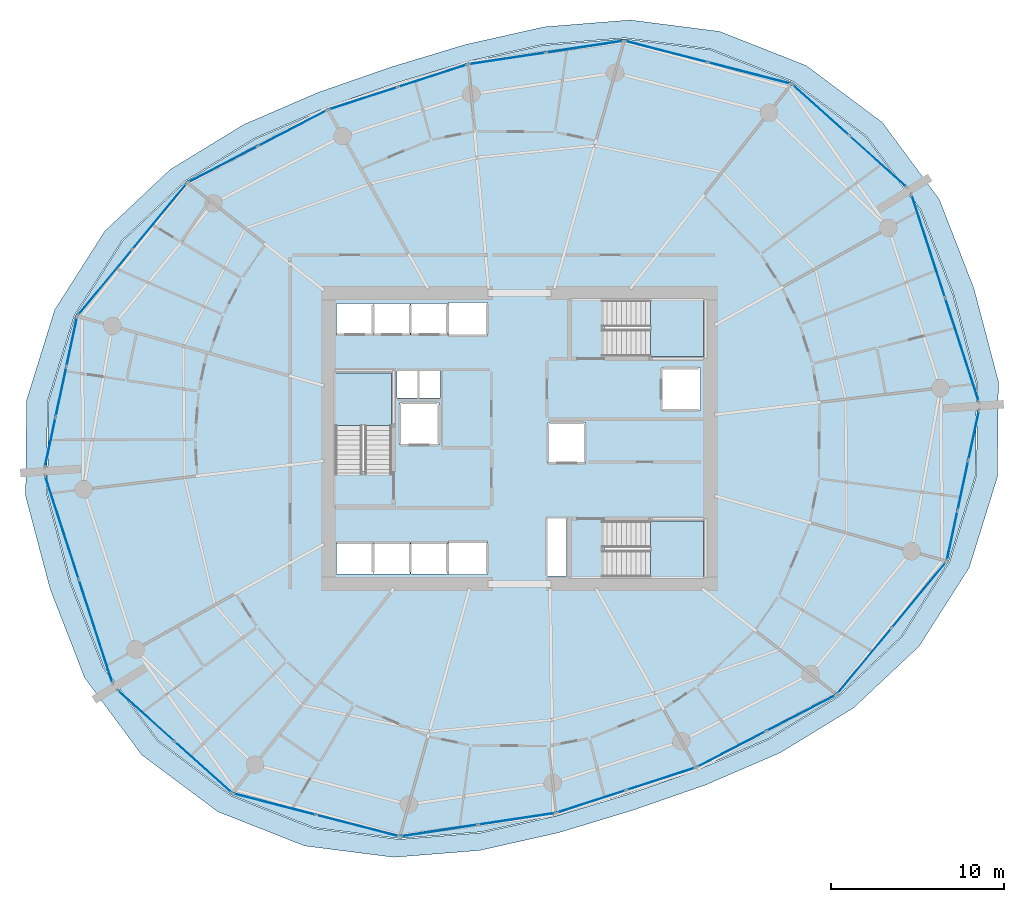
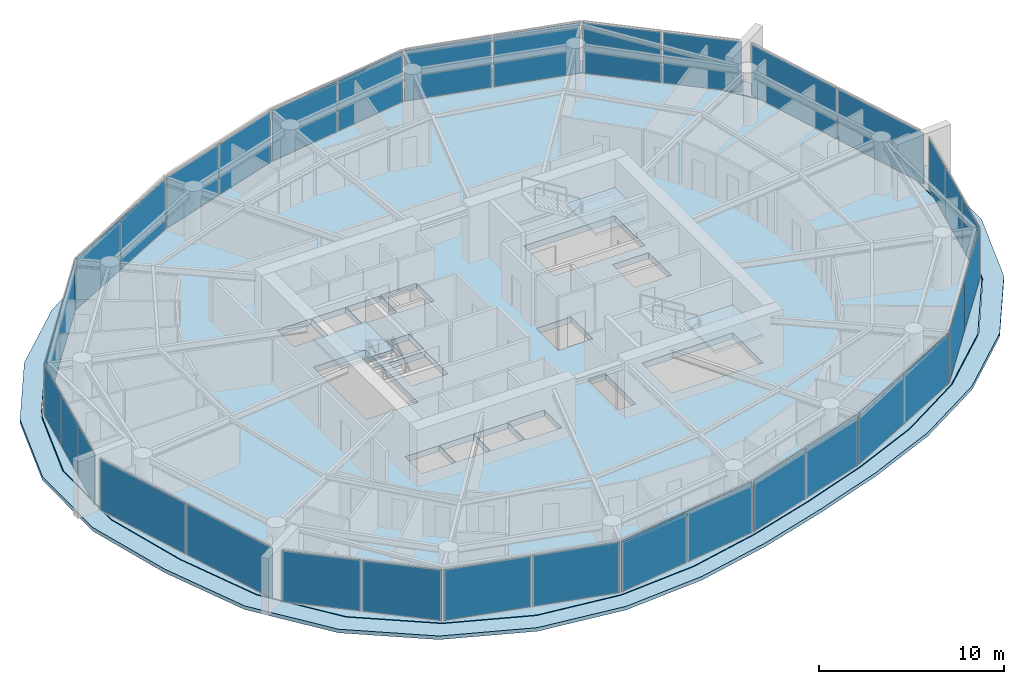
# One storey, part 11 of 17: 34 plates, 5 slabs, 19 elements without a shape of their own.
"""IFC4 building model written with IfcOpenShell, lengths in metres."""

from ifc_helpers import new_model, si_unit, direction, frame, origin, origin_2d, place, context, subcontext, project, spatial, polyline, rectangle, outline, extrude, material, layer, layer_set, type_object, element, aggregate, save


model = new_model("IFC4")

# Units and contexts
model_context = context("Model", 3, precision=1e-05, world=origin(), true_north=direction((0.0, 1.0)))
body_context = subcontext(model_context, "Body", "Model", "MODEL_VIEW")
ifc_project = project(units=[si_unit("LENGTHUNIT", "METRE"), si_unit("AREAUNIT", "SQUARE_METRE"), si_unit("VOLUMEUNIT", "CUBIC_METRE"), si_unit("PLANEANGLEUNIT", "RADIAN"), si_unit("MASSUNIT", "GRAM", prefix="KILO")], contexts=[model_context])

# Site, building, storey
site_placement = place(None, origin())
site = spatial("IfcSite", under=ifc_project, at=site_placement, CompositionType="ELEMENT")
building_placement = place(site_placement, origin())
building = spatial("IfcBuilding", under=site, at=building_placement, Name="Kazma Halo Residences", CompositionType="ELEMENT")
storey_placement = place(building_placement, frame((0.0, 0.0, 127.800048828125)))
storey = spatial("IfcBuildingStorey", under=building, at=storey_placement, Name="L31", CompositionType="ELEMENT", Elevation=127.800048828125)

# Curtain wall, plates
ifc_material_1 = material(Name="Aluminium AW-6063 T6 and Triple-Silver Low-E Glass", Category="aluminium")
ifc_layer_1 = layer(ifc_material_1, 0.219970703125)
ifc_layer_set_1 = layer_set([ifc_layer_1], Name="Aluminium AW-6063 T6 and Triple-Silver Low-E Glass")
curtain_wall_type = type_object("IfcCurtainWallType", Name="CW-SYS-4", PredefinedType="NOTDEFINED", material=ifc_layer_set_1)
curtain_wall_1_placement = place(storey_placement, origin())
curtain_wall_1 = element("IfcCurtainWall", 1, at=curtain_wall_1_placement, inside=storey, type_object=curtain_wall_type, Name="L31 unitised curtain wall B01", PredefinedType="NOTDEFINED")
ifc_material_2 = material(Name="Clear Triple-Silver Low-E Glass IGU", Category="glass")
ifc_layer_2 = layer(ifc_material_2, 0.033935546875)
ifc_layer_set_2 = layer_set([ifc_layer_2], Name="Clear Triple-Silver Low-E Glass IGU")
plate_type = type_object("IfcPlateType", Name="CW-SYS-4-PNL", PredefinedType="CURTAIN_PANEL", material=ifc_layer_set_2)
plate_1_placement = place(storey_placement, frame((69.126708984375, 58.008056640625, 0.074951171875), z_axis=(0.0, 0.0, 1.0), x_axis=(-0.744367582957, 0.667770096247, 0.0)))
plate_1 = element("IfcPlate", 2, at=plate_1_placement, type_object=plate_type, Name="CWS-4 panel 1.1", PredefinedType="CURTAIN_PANEL", context=body_context, shape_type="SweptSolid", body=[
    extrude(rectangle(XDim=4.36279296875, YDim=0.033935546875, at=origin_2d()), origin(), (0.0, 0.0, 1.0), 3.35009765625),
])
plate_2_placement = place(storey_placement, frame((65.823486328125, 60.971435546875, 0.074951171875), z_axis=(0.0, 0.0, 1.0), x_axis=(-0.744367582957, 0.667770096247, 0.0)))
plate_2 = element("IfcPlate", 3, at=plate_2_placement, type_object=plate_type, Name="CWS-4 panel 2.1", PredefinedType="CURTAIN_PANEL", context=body_context, shape_type="SweptSolid", body=[
    extrude(rectangle(XDim=4.36279296875, YDim=0.033935546875, at=origin_2d()), origin(), (0.0, 0.0, 1.0), 3.35009765625),
])
aggregate(curtain_wall_1, [plate_1, plate_2])

curtain_wall_2_placement = place(storey_placement, origin())
curtain_wall_2 = element("IfcCurtainWall", 4, at=curtain_wall_2_placement, inside=storey, type_object=curtain_wall_type, Name="L31 unitised curtain wall B02", PredefinedType="NOTDEFINED")
plate_3_placement = place(storey_placement, frame((61.709228515625, 63.10546875, 0.074951171875), z_axis=(0.0, 0.0, 1.0), x_axis=(-0.968380299116, 0.249478648955, 0.0)))
plate_3 = element("IfcPlate", 5, at=plate_3_placement, type_object=plate_type, Name="CWS-4 panel 1.1", PredefinedType="CURTAIN_PANEL", context=body_context, shape_type="SweptSolid", body=[
    extrude(rectangle(XDim=4.87841796875, YDim=0.033935546875, at=origin_2d()), origin(), (0.0, 0.0, 1.0), 3.35009765625),
])
plate_4_placement = place(storey_placement, frame((56.912353515625, 64.34130859375, 0.074951171875), z_axis=(0.0, 0.0, 1.0), x_axis=(-0.968380299116, 0.249478648955, 0.0)))
plate_4 = element("IfcPlate", 6, at=plate_4_placement, type_object=plate_type, Name="CWS-4 panel 2.1", PredefinedType="CURTAIN_PANEL", context=body_context, shape_type="SweptSolid", body=[
    extrude(rectangle(XDim=4.87841796875, YDim=0.033935546875, at=origin_2d()), origin(), (0.0, 0.0, 1.0), 3.35009765625),
])
aggregate(curtain_wall_2, [plate_3, plate_4])

curtain_wall_3_placement = place(storey_placement, origin())
curtain_wall_3 = element("IfcCurtainWall", 7, at=curtain_wall_3_placement, inside=storey, type_object=curtain_wall_type, Name="L31 unitised curtain wall B03", PredefinedType="NOTDEFINED")
plate_5_placement = place(storey_placement, frame((52.200439453125, 64.625732421875, 0.074951171875), z_axis=(0.0, 0.0, 1.0), x_axis=(-0.988864148004, -0.148821022686, 0.0)))
plate_5 = element("IfcPlate", 8, at=plate_5_placement, type_object=plate_type, Name="CWS-4 panel 1.1", PredefinedType="CURTAIN_PANEL", context=body_context, shape_type="SweptSolid", body=[
    extrude(rectangle(XDim=4.4560546875, YDim=0.033935546875, at=origin_2d()), origin(), (0.0, 0.0, 1.0), 3.35009765625),
])
plate_6_placement = place(storey_placement, frame((47.7197265625, 63.951416015625, 0.074951171875), z_axis=(0.0, 0.0, 1.0), x_axis=(-0.988864148004, -0.148821022686, 0.0)))
plate_6 = element("IfcPlate", 9, at=plate_6_placement, type_object=plate_type, Name="CWS-4 panel 2.1", PredefinedType="CURTAIN_PANEL", context=body_context, shape_type="SweptSolid", body=[
    extrude(rectangle(XDim=4.4560546875, YDim=0.033935546875, at=origin_2d()), origin(), (0.0, 0.0, 1.0), 3.35009765625),
])
aggregate(curtain_wall_3, [plate_5, plate_6])

curtain_wall_4_placement = place(storey_placement, origin())
curtain_wall_4 = element("IfcCurtainWall", 10, at=curtain_wall_4_placement, inside=storey, type_object=curtain_wall_type, Name="L31 unitised curtain wall B04", PredefinedType="NOTDEFINED")
plate_7_placement = place(storey_placement, frame((43.406005859375, 62.947021484375, 0.074951171875), z_axis=(0.0, 0.0, 1.0), x_axis=(-0.951056397884, -0.309017358807, 0.0)))
plate_7 = element("IfcPlate", 11, at=plate_7_placement, type_object=plate_type, Name="CWS-4 panel 1.1", PredefinedType="CURTAIN_PANEL", context=body_context, shape_type="SweptSolid", body=[
    extrude(rectangle(XDim=4.132568359375, YDim=0.033935546875, at=origin_2d()), origin(), (0.0, 0.0, 1.0), 3.35009765625),
])
plate_8_placement = place(storey_placement, frame((39.404296875, 61.646728515625, 0.074951171875), z_axis=(0.0, 0.0, 1.0), x_axis=(-0.951056397884, -0.309017358807, 0.0)))
plate_8 = element("IfcPlate", 12, at=plate_8_placement, type_object=plate_type, Name="CWS-4 panel 2.1", PredefinedType="CURTAIN_PANEL", context=body_context, shape_type="SweptSolid", body=[
    extrude(rectangle(XDim=4.132568359375, YDim=0.033935546875, at=origin_2d()), origin(), (0.0, 0.0, 1.0), 3.35009765625),
])
aggregate(curtain_wall_4, [plate_7, plate_8])

curtain_wall_5_placement = place(storey_placement, origin())
curtain_wall_5 = element("IfcCurtainWall", 13, at=curtain_wall_5_placement, inside=storey, type_object=curtain_wall_type, Name="L31 unitised curtain wall B05", PredefinedType="NOTDEFINED")
plate_9_placement = place(storey_placement, frame((35.323974609375, 59.923828125, 0.074951171875), z_axis=(0.0, 0.0, 1.0), x_axis=(-0.887484542306, -0.460837484552, 0.0)))
plate_9 = element("IfcPlate", 14, at=plate_9_placement, type_object=plate_type, Name="CWS-4 panel 1.1", PredefinedType="CURTAIN_PANEL", context=body_context, shape_type="SweptSolid", body=[
    extrude(rectangle(XDim=4.4560546875, YDim=0.033935546875, at=origin_2d()), origin(), (0.0, 0.0, 1.0), 3.35009765625),
])
plate_10_placement = place(storey_placement, frame((31.302734375, 57.835693359375, 0.074951171875), z_axis=(0.0, 0.0, 1.0), x_axis=(-0.887484542306, -0.460837484552, 0.0)))
plate_10 = element("IfcPlate", 15, at=plate_10_placement, type_object=plate_type, Name="CWS-4 panel 2.1", PredefinedType="CURTAIN_PANEL", context=body_context, shape_type="SweptSolid", body=[
    extrude(rectangle(XDim=4.4560546875, YDim=0.033935546875, at=origin_2d()), origin(), (0.0, 0.0, 1.0), 3.35009765625),
])
aggregate(curtain_wall_5, [plate_9, plate_10])

curtain_wall_6_placement = place(storey_placement, origin())
curtain_wall_6 = element("IfcCurtainWall", 16, at=curtain_wall_6_placement, inside=storey, type_object=curtain_wall_type, Name="L31 unitised curtain wall B06", PredefinedType="NOTDEFINED")
plate_11_placement = place(storey_placement, frame((27.65771484375, 54.8359375, 0.074951171875), z_axis=(0.0, 0.0, 1.0), x_axis=(-0.636790308761, -0.771037030672, 0.0)))
plate_11 = element("IfcPlate", 17, at=plate_11_placement, type_object=plate_type, Name="CWS-4 panel 1.1", PredefinedType="CURTAIN_PANEL", context=body_context, shape_type="SweptSolid", body=[
    extrude(rectangle(XDim=4.87841796875, YDim=0.033935546875, at=origin_2d()), origin(), (0.0, 0.0, 1.0), 3.35009765625),
])
plate_12_placement = place(storey_placement, frame((24.503662109375, 51.0166015625, 0.074951171875), z_axis=(0.0, 0.0, 1.0), x_axis=(-0.636790308761, -0.771037030672, 0.0)))
plate_12 = element("IfcPlate", 18, at=plate_12_placement, type_object=plate_type, Name="CWS-4 panel 2.1", PredefinedType="CURTAIN_PANEL", context=body_context, shape_type="SweptSolid", body=[
    extrude(rectangle(XDim=4.87841796875, YDim=0.033935546875, at=origin_2d()), origin(), (0.0, 0.0, 1.0), 3.35009765625),
])
aggregate(curtain_wall_6, [plate_11, plate_12])

curtain_wall_7_placement = place(storey_placement, origin())
curtain_wall_7 = element("IfcCurtainWall", 19, at=curtain_wall_7_placement, inside=storey, type_object=curtain_wall_type, Name="L31 unitised curtain wall B07", PredefinedType="NOTDEFINED")
plate_13_placement = place(storey_placement, frame((22.5859375, 47.601318359375, 0.074951171875), z_axis=(0.0, 0.0, 1.0), x_axis=(-0.209703809037, -0.977764957684, 0.0)))
plate_13 = element("IfcPlate", 20, at=plate_13_placement, type_object=plate_type, Name="CWS-4 panel 1.1", PredefinedType="CURTAIN_PANEL", context=body_context, shape_type="SweptSolid", body=[
    extrude(rectangle(XDim=2.87109375, YDim=0.033935546875, at=origin_2d()), origin(), (0.0, 0.0, 1.0), 3.35009765625),
])
plate_14_placement = place(storey_placement, frame((21.964111328125, 44.702392578125, 0.074951171875), z_axis=(0.0, 0.0, 1.0), x_axis=(-0.209703809037, -0.977764957684, 0.0)))
plate_14 = element("IfcPlate", 21, at=plate_14_placement, type_object=plate_type, Name="CWS-4 panel 2.1", PredefinedType="CURTAIN_PANEL", context=body_context, shape_type="SweptSolid", body=[
    extrude(rectangle(XDim=2.90869140625, YDim=0.033935546875, at=origin_2d()), origin(), (0.0, 0.0, 1.0), 3.35009765625),
])
plate_15_placement = place(storey_placement, frame((21.34228515625, 41.803466796875, 0.074951171875), z_axis=(0.0, 0.0, 1.0), x_axis=(-0.209703809037, -0.977764957684, 0.0)))
plate_15 = element("IfcPlate", 22, at=plate_15_placement, type_object=plate_type, Name="CWS-4 panel 3.1", PredefinedType="CURTAIN_PANEL", context=body_context, shape_type="SweptSolid", body=[
    extrude(rectangle(XDim=2.87109375, YDim=0.033935546875, at=origin_2d()), origin(), (0.0, 0.0, 1.0), 3.35009765625),
])
aggregate(curtain_wall_7, [plate_13, plate_14, plate_15])

curtain_wall_8_placement = place(storey_placement, origin())
curtain_wall_8 = element("IfcCurtainWall", 23, at=curtain_wall_8_placement, inside=storey, type_object=curtain_wall_type, Name="L31 unitised curtain wall B08", PredefinedType="NOTDEFINED")
plate_16_placement = place(storey_placement, frame((22.017578125, 36.869873046875, 0.074951171875), z_axis=(0.0, 0.0, 1.0), x_axis=(0.3090138203, -0.951057547609, 0.0)))
plate_16 = element("IfcPlate", 24, at=plate_16_placement, type_object=plate_type, Name="CWS-4 panel 1.1", PredefinedType="CURTAIN_PANEL", context=body_context, shape_type="SweptSolid", body=[
    extrude(rectangle(XDim=6.224853515625, YDim=0.033935546875, at=origin_2d()), origin(), (0.0, 0.0, 1.0), 3.35009765625),
])
plate_17_placement = place(storey_placement, frame((23.96435546875, 30.878173828125, 0.074951171875), z_axis=(0.0, 0.0, 1.0), x_axis=(0.3090138203, -0.951057547609, 0.0)))
plate_17 = element("IfcPlate", 25, at=plate_17_placement, type_object=plate_type, Name="CWS-4 panel 2.1", PredefinedType="CURTAIN_PANEL", context=body_context, shape_type="SweptSolid", body=[
    extrude(rectangle(XDim=6.224853515625, YDim=0.033935546875, at=origin_2d()), origin(), (0.0, 0.0, 1.0), 3.35009765625),
])
aggregate(curtain_wall_8, [plate_16, plate_17])

curtain_wall_9_placement = place(storey_placement, origin())
curtain_wall_9 = element("IfcCurtainWall", 26, at=curtain_wall_9_placement, inside=storey, type_object=curtain_wall_type, Name="L31 unitised curtain wall B09", PredefinedType="NOTDEFINED")
plate_18_placement = place(storey_placement, frame((26.873291015625, 25.991943359375, 0.074951171875), z_axis=(0.0, 0.0, 1.0), x_axis=(0.744367582957, -0.667770096247, 0.0)))
plate_18 = element("IfcPlate", 27, at=plate_18_placement, type_object=plate_type, Name="CWS-4 panel 1.1", PredefinedType="CURTAIN_PANEL", context=body_context, shape_type="SweptSolid", body=[
    extrude(rectangle(XDim=4.36279296875, YDim=0.033935546875, at=origin_2d()), origin(), (0.0, 0.0, 1.0), 3.35009765625),
])
plate_19_placement = place(storey_placement, frame((30.176513671875, 23.028564453125, 0.074951171875), z_axis=(0.0, 0.0, 1.0), x_axis=(0.744367582957, -0.667770096247, 0.0)))
plate_19 = element("IfcPlate", 28, at=plate_19_placement, type_object=plate_type, Name="CWS-4 panel 2.1", PredefinedType="CURTAIN_PANEL", context=body_context, shape_type="SweptSolid", body=[
    extrude(rectangle(XDim=4.36279296875, YDim=0.033935546875, at=origin_2d()), origin(), (0.0, 0.0, 1.0), 3.35009765625),
])
aggregate(curtain_wall_9, [plate_18, plate_19])

curtain_wall_10_placement = place(storey_placement, origin())
curtain_wall_10 = element("IfcCurtainWall", 29, at=curtain_wall_10_placement, inside=storey, type_object=curtain_wall_type, Name="L31 unitised curtain wall B10", PredefinedType="NOTDEFINED")
plate_20_placement = place(storey_placement, frame((34.290771484375, 20.89453125, 0.074951171875), z_axis=(0.0, 0.0, 1.0), x_axis=(0.968380299116, -0.249478648955, 0.0)))
plate_20 = element("IfcPlate", 30, at=plate_20_placement, type_object=plate_type, Name="CWS-4 panel 1.1", PredefinedType="CURTAIN_PANEL", context=body_context, shape_type="SweptSolid", body=[
    extrude(rectangle(XDim=4.87841796875, YDim=0.033935546875, at=origin_2d()), origin(), (0.0, 0.0, 1.0), 3.35009765625),
])
plate_21_placement = place(storey_placement, frame((39.087646484375, 19.65869140625, 0.074951171875), z_axis=(0.0, 0.0, 1.0), x_axis=(0.968380299116, -0.249478648955, 0.0)))
plate_21 = element("IfcPlate", 31, at=plate_21_placement, type_object=plate_type, Name="CWS-4 panel 2.1", PredefinedType="CURTAIN_PANEL", context=body_context, shape_type="SweptSolid", body=[
    extrude(rectangle(XDim=4.87841796875, YDim=0.033935546875, at=origin_2d()), origin(), (0.0, 0.0, 1.0), 3.35009765625),
])
aggregate(curtain_wall_10, [plate_20, plate_21])

curtain_wall_11_placement = place(storey_placement, origin())
curtain_wall_11 = element("IfcCurtainWall", 32, at=curtain_wall_11_placement, inside=storey, type_object=curtain_wall_type, Name="L31 unitised curtain wall B11", PredefinedType="NOTDEFINED")
plate_22_placement = place(storey_placement, frame((43.799560546875, 19.374267578125, 0.074951171875), z_axis=(0.0, 0.0, 1.0), x_axis=(0.988864148004, 0.148821022686, 0.0)))
plate_22 = element("IfcPlate", 33, at=plate_22_placement, type_object=plate_type, Name="CWS-4 panel 1.1", PredefinedType="CURTAIN_PANEL", context=body_context, shape_type="SweptSolid", body=[
    extrude(rectangle(XDim=4.4560546875, YDim=0.033935546875, at=origin_2d()), origin(), (0.0, 0.0, 1.0), 3.35009765625),
])
plate_23_placement = place(storey_placement, frame((48.2802734375, 20.048583984375, 0.074951171875), z_axis=(0.0, 0.0, 1.0), x_axis=(0.988864148004, 0.148821022686, 0.0)))
plate_23 = element("IfcPlate", 34, at=plate_23_placement, type_object=plate_type, Name="CWS-4 panel 2.1", PredefinedType="CURTAIN_PANEL", context=body_context, shape_type="SweptSolid", body=[
    extrude(rectangle(XDim=4.4560546875, YDim=0.033935546875, at=origin_2d()), origin(), (0.0, 0.0, 1.0), 3.35009765625),
])
aggregate(curtain_wall_11, [plate_22, plate_23])

curtain_wall_12_placement = place(storey_placement, origin())
curtain_wall_12 = element("IfcCurtainWall", 35, at=curtain_wall_12_placement, inside=storey, type_object=curtain_wall_type, Name="L31 unitised curtain wall B12", PredefinedType="NOTDEFINED")
plate_24_placement = place(storey_placement, frame((52.593994140625, 21.052978515625, 0.074951171875), z_axis=(0.0, 0.0, 1.0), x_axis=(0.951056397884, 0.309017358807, 0.0)))
plate_24 = element("IfcPlate", 36, at=plate_24_placement, type_object=plate_type, Name="CWS-4 panel 1.1", PredefinedType="CURTAIN_PANEL", context=body_context, shape_type="SweptSolid", body=[
    extrude(rectangle(XDim=4.132568359375, YDim=0.033935546875, at=origin_2d()), origin(), (0.0, 0.0, 1.0), 3.35009765625),
])
plate_25_placement = place(storey_placement, frame((56.595703125, 22.353271484375, 0.074951171875), z_axis=(0.0, 0.0, 1.0), x_axis=(0.951056397884, 0.309017358807, 0.0)))
plate_25 = element("IfcPlate", 37, at=plate_25_placement, type_object=plate_type, Name="CWS-4 panel 2.1", PredefinedType="CURTAIN_PANEL", context=body_context, shape_type="SweptSolid", body=[
    extrude(rectangle(XDim=4.132568359375, YDim=0.033935546875, at=origin_2d()), origin(), (0.0, 0.0, 1.0), 3.35009765625),
])
aggregate(curtain_wall_12, [plate_24, plate_25])

curtain_wall_13_placement = place(storey_placement, origin())
curtain_wall_13 = element("IfcCurtainWall", 38, at=curtain_wall_13_placement, inside=storey, type_object=curtain_wall_type, Name="L31 unitised curtain wall B13", PredefinedType="NOTDEFINED")
plate_26_placement = place(storey_placement, frame((60.676025390625, 24.076171875, 0.074951171875), z_axis=(0.0, 0.0, 1.0), x_axis=(0.887484542306, 0.460837484552, 0.0)))
plate_26 = element("IfcPlate", 39, at=plate_26_placement, type_object=plate_type, Name="CWS-4 panel 1.1", PredefinedType="CURTAIN_PANEL", context=body_context, shape_type="SweptSolid", body=[
    extrude(rectangle(XDim=4.4560546875, YDim=0.033935546875, at=origin_2d()), origin(), (0.0, 0.0, 1.0), 3.35009765625),
])
plate_27_placement = place(storey_placement, frame((64.697265625, 26.164306640625, 0.074951171875), z_axis=(0.0, 0.0, 1.0), x_axis=(0.887484542306, 0.460837484552, 0.0)))
plate_27 = element("IfcPlate", 40, at=plate_27_placement, type_object=plate_type, Name="CWS-4 panel 2.1", PredefinedType="CURTAIN_PANEL", context=body_context, shape_type="SweptSolid", body=[
    extrude(rectangle(XDim=4.4560546875, YDim=0.033935546875, at=origin_2d()), origin(), (0.0, 0.0, 1.0), 3.35009765625),
])
aggregate(curtain_wall_13, [plate_26, plate_27])

curtain_wall_14_placement = place(storey_placement, origin())
curtain_wall_14 = element("IfcCurtainWall", 41, at=curtain_wall_14_placement, inside=storey, type_object=curtain_wall_type, Name="L31 unitised curtain wall B14", PredefinedType="NOTDEFINED")
plate_28_placement = place(storey_placement, frame((68.34228515625, 29.1640625, 0.074951171875), z_axis=(0.0, 0.0, 1.0), x_axis=(0.636790308761, 0.771037030672, 0.0)))
plate_28 = element("IfcPlate", 42, at=plate_28_placement, type_object=plate_type, Name="CWS-4 panel 1.1", PredefinedType="CURTAIN_PANEL", context=body_context, shape_type="SweptSolid", body=[
    extrude(rectangle(XDim=4.87841796875, YDim=0.033935546875, at=origin_2d()), origin(), (0.0, 0.0, 1.0), 3.35009765625),
])
plate_29_placement = place(storey_placement, frame((71.496337890625, 32.9833984375, 0.074951171875), z_axis=(0.0, 0.0, 1.0), x_axis=(0.636790308761, 0.771037030672, 0.0)))
plate_29 = element("IfcPlate", 43, at=plate_29_placement, type_object=plate_type, Name="CWS-4 panel 2.1", PredefinedType="CURTAIN_PANEL", context=body_context, shape_type="SweptSolid", body=[
    extrude(rectangle(XDim=4.87841796875, YDim=0.033935546875, at=origin_2d()), origin(), (0.0, 0.0, 1.0), 3.35009765625),
])
aggregate(curtain_wall_14, [plate_28, plate_29])

curtain_wall_15_placement = place(storey_placement, origin())
curtain_wall_15 = element("IfcCurtainWall", 44, at=curtain_wall_15_placement, inside=storey, type_object=curtain_wall_type, Name="L31 unitised curtain wall B15", PredefinedType="NOTDEFINED")
plate_30_placement = place(storey_placement, frame((73.4140625, 36.398681640625, 0.074951171875), z_axis=(0.0, 0.0, 1.0), x_axis=(0.209703809037, 0.977764957684, 0.0)))
plate_30 = element("IfcPlate", 45, at=plate_30_placement, type_object=plate_type, Name="CWS-4 panel 1.1", PredefinedType="CURTAIN_PANEL", context=body_context, shape_type="SweptSolid", body=[
    extrude(rectangle(XDim=2.87109375, YDim=0.033935546875, at=origin_2d()), origin(), (0.0, 0.0, 1.0), 3.35009765625),
])
plate_31_placement = place(storey_placement, frame((74.035888671875, 39.297607421875, 0.074951171875), z_axis=(0.0, 0.0, 1.0), x_axis=(0.209703809037, 0.977764957684, 0.0)))
plate_31 = element("IfcPlate", 46, at=plate_31_placement, type_object=plate_type, Name="CWS-4 panel 2.1", PredefinedType="CURTAIN_PANEL", context=body_context, shape_type="SweptSolid", body=[
    extrude(rectangle(XDim=2.90869140625, YDim=0.033935546875, at=origin_2d()), origin(), (0.0, 0.0, 1.0), 3.35009765625),
])
plate_32_placement = place(storey_placement, frame((74.65771484375, 42.196533203125, 0.074951171875), z_axis=(0.0, 0.0, 1.0), x_axis=(0.209703809037, 0.977764957684, 0.0)))
plate_32 = element("IfcPlate", 47, at=plate_32_placement, type_object=plate_type, Name="CWS-4 panel 3.1", PredefinedType="CURTAIN_PANEL", context=body_context, shape_type="SweptSolid", body=[
    extrude(rectangle(XDim=2.87109375, YDim=0.033935546875, at=origin_2d()), origin(), (0.0, 0.0, 1.0), 3.35009765625),
])
aggregate(curtain_wall_15, [plate_30, plate_31, plate_32])

curtain_wall_16_placement = place(storey_placement, origin())
curtain_wall_16 = element("IfcCurtainWall", 48, at=curtain_wall_16_placement, inside=storey, type_object=curtain_wall_type, Name="L31 unitised curtain wall B16", PredefinedType="NOTDEFINED")
plate_33_placement = place(storey_placement, frame((73.982421875, 47.130126953125, 0.074951171875), z_axis=(0.0, 0.0, 1.0), x_axis=(-0.3090138203, 0.951057547609, 0.0)))
plate_33 = element("IfcPlate", 49, at=plate_33_placement, type_object=plate_type, Name="CWS-4 panel 1.1", PredefinedType="CURTAIN_PANEL", context=body_context, shape_type="SweptSolid", body=[
    extrude(rectangle(XDim=6.224853515625, YDim=0.033935546875, at=origin_2d()), origin(), (0.0, 0.0, 1.0), 3.35009765625),
])
plate_34_placement = place(storey_placement, frame((72.03564453125, 53.121826171875, 0.074951171875), z_axis=(0.0, 0.0, 1.0), x_axis=(-0.3090138203, 0.951057547609, 0.0)))
plate_34 = element("IfcPlate", 50, at=plate_34_placement, type_object=plate_type, Name="CWS-4 panel 2.1", PredefinedType="CURTAIN_PANEL", context=body_context, shape_type="SweptSolid", body=[
    extrude(rectangle(XDim=6.224853515625, YDim=0.033935546875, at=origin_2d()), origin(), (0.0, 0.0, 1.0), 3.35009765625),
])
aggregate(curtain_wall_16, [plate_33, plate_34])

# Slab
ifc_material_3 = material(Name="Concrete C50/60", Category="concrete")
ifc_layer_3 = layer(ifc_material_3, 0.239990234375)
ifc_layer_set_3 = layer_set([ifc_layer_3], Name="Concrete C50/60")
slab_type_1 = type_object("IfcSlabType", Name="SLB-ROOF-240", PredefinedType="ROOF", material=ifc_layer_set_3)
slab_1_placement = place(storey_placement, frame((0.0, 0.0, -0.239990234375)))
element("IfcSlab", 51, at=slab_1_placement, inside=storey, type_object=slab_type_1, Name="L31 extensive green roof maintenance apron", PredefinedType="ROOF", context=body_context, shape_type="SweptSolid", body=[
    extrude(outline(polyline([(74.67138671875, 50.666015625), (72.670654296875, 55.81640625), (69.37890625, 60.25927734375), (64.981201171875, 63.54052734375), (59.97998046875, 65.51220703125), (54.816650390625, 66.17041015625), (49.87109375, 65.77490234375), (45.307373046875, 64.750244140625), (41.028076171875, 63.457275390625), (36.80615234375, 61.988037109375), (32.51171875, 60.134521484375), (28.2783203125, 57.54736328125), (24.48779296875, 53.97998046875), (21.6005859375, 49.4453125), (19.9716796875, 44.205810546875), (19.919921875, 38.676513671875), (21.32861328125, 33.333984375), (23.329345703125, 28.18359375), (26.62109375, 23.74072265625), (31.018798828125, 20.45947265625), (36.02001953125, 18.48779296875), (41.183349609375, 17.82958984375), (46.12890625, 18.22509765625), (50.692626953125, 19.249755859375), (54.971923828125, 20.542724609375), (59.19384765625, 22.011962890625), (63.48828125, 23.865478515625), (67.7216796875, 26.45263671875), (71.51220703125, 30.02001953125), (74.3994140625, 34.5546875), (76.0283203125, 39.794189453125), (76.080078125, 45.323486328125), (74.67138671875, 50.666015625)]), holes=[polyline([(73.520263671875, 50.2919921875), (71.60546875, 55.2197265625), (68.4560546875, 59.470947265625), (64.2490234375, 62.61181640625), (59.46435546875, 64.5), (54.52392578125, 65.132080078125), (49.791015625, 64.756103515625), (45.422607421875, 63.777587890625), (41.325927734375, 62.540283203125), (37.284912109375, 61.13330078125), (33.17529296875, 59.357421875), (29.125244140625, 56.879638671875), (25.5, 53.46435546875), (22.739013671875, 49.124267578125), (21.181640625, 44.110595703125), (21.13232421875, 38.820068359375), (22.479736328125, 33.7080078125), (24.39453125, 28.7802734375), (27.5439453125, 24.529052734375), (31.7509765625, 21.38818359375), (36.53564453125, 19.5), (41.47607421875, 18.867919921875), (46.208984375, 19.243896484375), (50.577392578125, 20.222412109375), (54.674072265625, 21.459716796875), (58.715087890625, 22.86669921875), (62.82470703125, 24.642578125), (66.874755859375, 27.120361328125), (70.5, 30.53564453125), (73.260986328125, 34.875732421875), (74.818359375, 39.889404296875), (74.86767578125, 45.179931640625), (73.520263671875, 50.2919921875)])]), origin(), (0.0, 0.0, 1.0), 0.239990234375),
])

# Stair, slab
stair_type = type_object("IfcStairType", Name="STR-RES1", PredefinedType="HALF_TURN_STAIR", material=ifc_material_3)
stair_1_placement = place(storey_placement, origin())
stair_1 = element("IfcStair", 52, at=stair_1_placement, inside=storey, type_object=stair_type, Name="L31 Core exit stair ST-01", PredefinedType="HALF_TURN_STAIR")
ifc_layer_4 = layer(ifc_material_3, 0.199951171875)
ifc_layer_set_4 = layer_set([ifc_layer_4], Name="Concrete C50/60")
slab_type_2 = type_object("IfcSlabType", Name="SLB-STAIR-LND-200", PredefinedType="LANDING", material=ifc_layer_set_4)
slab_2_placement = place(storey_placement, frame((0.0, 0.0, 1.675048828125)))
slab_2 = element("IfcSlab", 53, at=slab_2_placement, type_object=slab_type_2, Name="ST-01 landing 1", PredefinedType="LANDING", context=body_context, shape_type="SweptSolid", body=[
    extrude(outline(polyline([(41.050048828125, 42.75), (41.050048828125, 45.800048828125), (37.800048828125, 45.800048828125), (37.800048828125, 42.75), (41.050048828125, 42.75)])), origin(), (0.0, 0.0, 1.0), 0.199951171875),
])
aggregate(stair_1, [slab_2])

stair_2_placement = place(storey_placement, origin())
stair_2 = element("IfcStair", 54, at=stair_2_placement, inside=storey, type_object=stair_type, Name="L31 Core exit stair ST-02", PredefinedType="HALF_TURN_STAIR")
slab_3_placement = place(storey_placement, frame((0.0, 0.0, 1.675048828125)))
slab_3 = element("IfcSlab", 55, at=slab_3_placement, type_object=slab_type_2, Name="ST-02 landing 1", PredefinedType="LANDING", context=body_context, shape_type="SweptSolid", body=[
    extrude(outline(polyline([(56.0, 46.75), (59.050048828125, 46.75), (59.050048828125, 50.0), (56.0, 50.0), (56.0, 46.75)])), origin(), (0.0, 0.0, 1.0), 0.199951171875),
])
aggregate(stair_2, [slab_3])

stair_3_placement = place(storey_placement, origin())
stair_3 = element("IfcStair", 56, at=stair_3_placement, inside=storey, type_object=stair_type, Name="L31 Core exit stair ST-03", PredefinedType="HALF_TURN_STAIR")
slab_4_placement = place(storey_placement, frame((0.0, 0.0, 1.675048828125)))
slab_4 = element("IfcSlab", 57, at=slab_4_placement, type_object=slab_type_2, Name="ST-03 landing 1", PredefinedType="LANDING", context=body_context, shape_type="SweptSolid", body=[
    extrude(outline(polyline([(56.0, 34.0), (59.050048828125, 34.0), (59.050048828125, 37.25), (56.0, 37.25), (56.0, 34.0)])), origin(), (0.0, 0.0, 1.0), 0.199951171875),
])
aggregate(stair_3, [slab_4])

# Slab
ifc_material_4 = material(Name="Concrete C60/75", Category="concrete")
ifc_layer_5 = layer(ifc_material_4, 0.39990234375)
ifc_layer_set_5 = layer_set([ifc_layer_5], Name="Concrete C60/75")
slab_type_3 = type_object("IfcSlabType", Name="SLB-TRANS-400", PredefinedType="FLOOR", material=ifc_layer_set_5)
slab_5_placement = place(storey_placement, frame((0.0, 0.0, -0.400146484375)))
element("IfcSlab", 58, at=slab_5_placement, inside=storey, type_object=slab_type_3, Name="L31 structural floor slab", PredefinedType="FLOOR", context=body_context, shape_type="SweptSolid", body=[
    extrude(outline(polyline([(73.47265625, 50.276611328125), (71.56201171875, 55.1953125), (68.41796875, 59.438720703125), (64.218017578125, 62.572509765625), (59.441650390625, 64.45556640625), (54.510498046875, 65.083984375), (49.787109375, 64.706298828125), (45.42822265625, 63.727783203125), (41.341552734375, 62.492919921875), (37.30908203125, 61.08984375), (33.2080078125, 59.3193359375), (29.16455078125, 56.8486328125), (25.54443359375, 53.441650390625), (22.787109375, 49.110595703125), (21.2314453125, 44.106689453125), (21.181884765625, 38.825927734375), (22.52734375, 33.723388671875), (24.43798828125, 28.8046875), (27.58203125, 24.561279296875), (31.781982421875, 21.427490234375), (36.558349609375, 19.54443359375), (41.489501953125, 18.916015625), (46.212890625, 19.293701171875), (50.57177734375, 20.272216796875), (54.658447265625, 21.507080078125), (58.69091796875, 22.91015625), (62.7919921875, 24.6806640625), (66.83544921875, 27.1513671875), (70.45556640625, 30.558349609375), (73.212890625, 34.889404296875), (74.7685546875, 39.893310546875), (74.818115234375, 45.174072265625), (73.47265625, 50.276611328125)]), holes=[polyline([(37.800048828125, 40.110107421875), (41.050048828125, 40.110107421875), (41.050048828125, 45.800048828125), (37.800048828125, 45.800048828125), (37.800048828125, 40.110107421875)]), polyline([(53.360107421875, 46.75), (59.050048828125, 46.75), (59.050048828125, 50.0), (53.360107421875, 50.0), (53.360107421875, 46.75)]), polyline([(53.360107421875, 34.0), (59.050048828125, 34.0), (59.050048828125, 37.25), (53.360107421875, 37.25), (53.360107421875, 34.0)]), polyline([(41.52001953125, 41.6201171875), (43.780029296875, 41.6201171875), (43.780029296875, 44.080078125), (41.52001953125, 44.080078125), (41.52001953125, 41.6201171875)]), polyline([(56.6201171875, 43.6201171875), (58.8798828125, 43.6201171875), (58.8798828125, 46.080078125), (56.6201171875, 46.080078125), (56.6201171875, 43.6201171875)]), polyline([(37.864990234375, 34.195068359375), (39.97509765625, 34.195068359375), (39.97509765625, 36.0048828125), (37.864990234375, 36.0048828125), (37.864990234375, 34.195068359375)]), polyline([(40.014892578125, 34.195068359375), (42.125, 34.195068359375), (42.125, 36.0048828125), (40.014892578125, 36.0048828125), (40.014892578125, 34.195068359375)]), polyline([(42.1650390625, 34.195068359375), (44.27490234375, 34.195068359375), (44.27490234375, 36.0048828125), (42.1650390625, 36.0048828125), (42.1650390625, 34.195068359375)]), polyline([(37.864990234375, 47.9951171875), (39.97509765625, 47.9951171875), (39.97509765625, 49.804931640625), (37.864990234375, 49.804931640625), (37.864990234375, 47.9951171875)]), polyline([(40.014892578125, 47.9951171875), (42.125, 47.9951171875), (42.125, 49.804931640625), (40.014892578125, 49.804931640625), (40.014892578125, 47.9951171875)]), polyline([(42.1650390625, 47.9951171875), (44.27490234375, 47.9951171875), (44.27490234375, 49.804931640625), (42.1650390625, 49.804931640625), (42.1650390625, 47.9951171875)]), polyline([(44.320068359375, 47.945068359375), (46.580078125, 47.945068359375), (46.580078125, 49.85498046875), (44.320068359375, 49.85498046875), (44.320068359375, 47.945068359375)]), polyline([(44.320068359375, 34.14501953125), (46.580078125, 34.14501953125), (46.580078125, 36.054931640625), (44.320068359375, 36.054931640625), (44.320068359375, 34.14501953125)]), polyline([(50.070068359375, 40.570068359375), (52.22998046875, 40.570068359375), (52.22998046875, 42.929931640625), (50.070068359375, 42.929931640625), (50.070068359375, 40.570068359375)]), polyline([(41.360107421875, 44.340087890625), (42.5400390625, 44.340087890625), (42.5400390625, 45.89990234375), (41.360107421875, 45.89990234375), (41.360107421875, 44.340087890625)]), polyline([(42.659912109375, 44.340087890625), (43.840087890625, 44.340087890625), (43.840087890625, 45.89990234375), (42.659912109375, 45.89990234375), (42.659912109375, 44.340087890625)]), polyline([(50.06005859375, 34.080078125), (51.159912109375, 34.080078125), (51.159912109375, 37.3798828125), (50.06005859375, 37.3798828125), (50.06005859375, 34.080078125)])]), origin(), (0.0, 0.0, 1.0), 0.400146484375),
])

save(model, "model.ifc")
